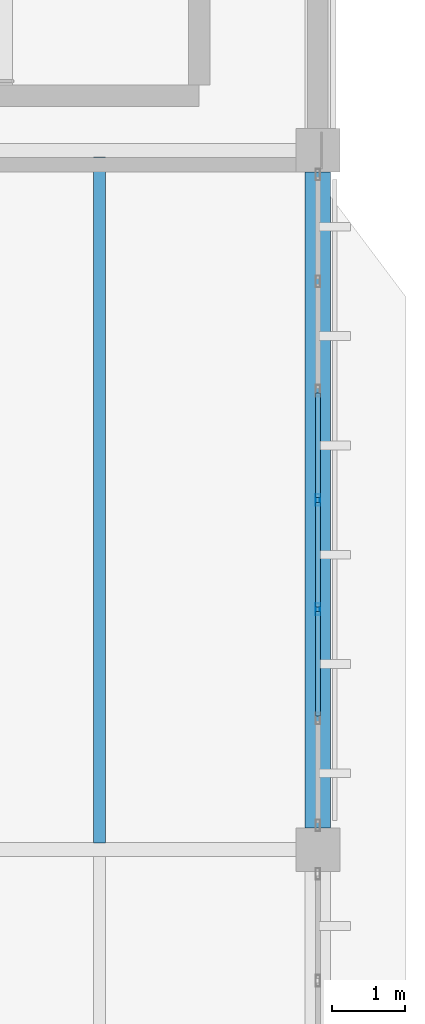
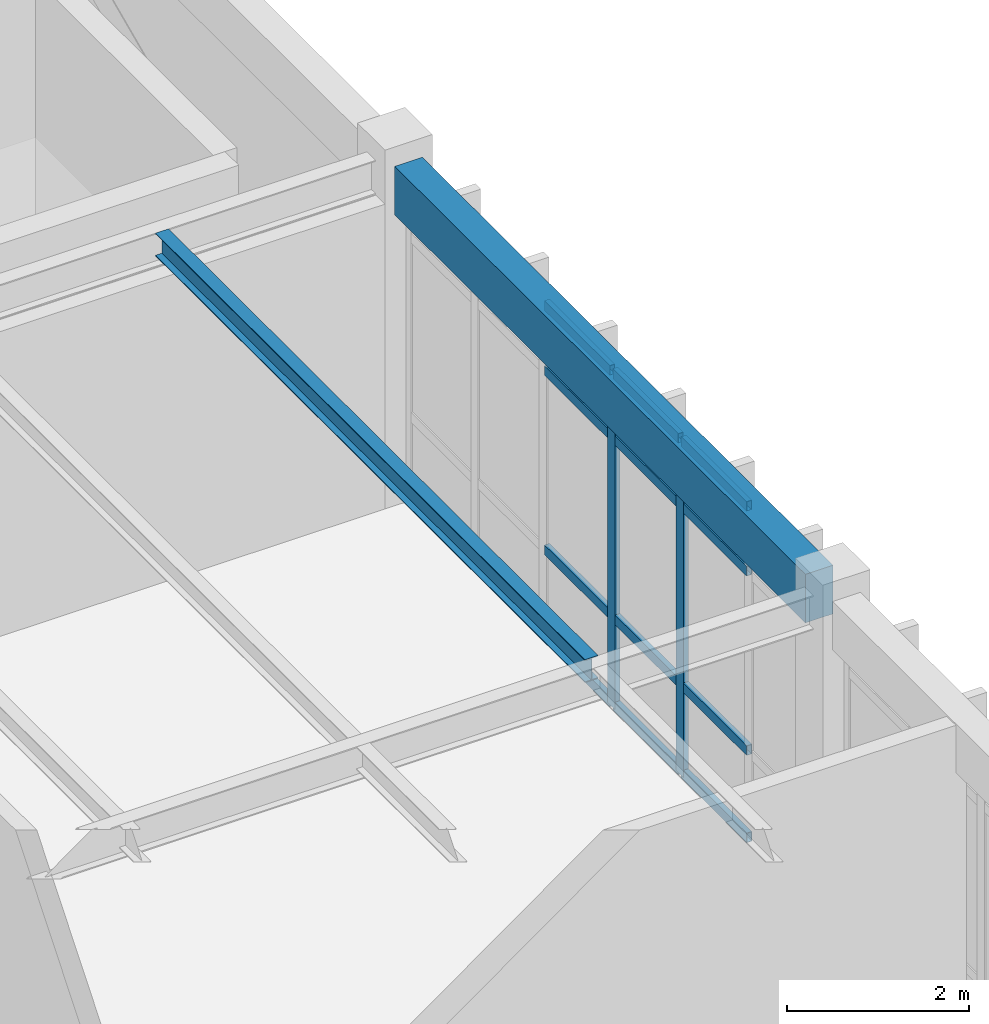
# One storey, part 150 of 236: 14 members, 2 beams, 1 element without a shape of its own.
"""IFC4 building model written with IfcOpenShell, lengths in metres."""

from ifc_helpers import new_model, si_unit, direction, frame, origin, origin_2d, place, context, subcontext, project, spatial, rectangle, hollow_rectangle, i_section, extrude, material, layer, layer_set, material_profile, profile_set, type_object, element, aggregate, save


model = new_model("IFC4")

# Units and contexts
model_context = context("Model", 3, precision=1e-05, world=origin(), true_north=direction((0.0, 1.0)))
body_context = subcontext(model_context, "Body", "Model", "MODEL_VIEW")
ifc_project = project(units=[si_unit("LENGTHUNIT", "METRE"), si_unit("AREAUNIT", "SQUARE_METRE"), si_unit("VOLUMEUNIT", "CUBIC_METRE"), si_unit("PLANEANGLEUNIT", "RADIAN"), si_unit("MASSUNIT", "GRAM", prefix="KILO")], contexts=[model_context])

# Site, building, storey
site_placement = place(None, origin())
site = spatial("IfcSite", under=ifc_project, at=site_placement, CompositionType="ELEMENT")
building_placement = place(site_placement, origin())
building = spatial("IfcBuilding", under=site, at=building_placement, Name="Pandanus Reach Market Hall", CompositionType="ELEMENT")
storey_placement = place(building_placement, frame((0.0, 0.0, 5.39990234375)))
storey = spatial("IfcBuildingStorey", under=building, at=storey_placement, Name="L01", CompositionType="ELEMENT", Elevation=5.39990234375)

# Beam
ifc_material_1 = material(Name="Concrete N40 (40 MPa)", Category="concrete")
ifc_material_profile_1 = material_profile(ifc_material_1, rectangle(XDim=0.35009765625, YDim=0.64990234375, at=origin_2d()), Name="RC350x650", Category="LoadBearing")
ifc_profile_set_1 = profile_set([ifc_material_profile_1], Name="Concrete N40 (40 MPa)")
beam_type_1 = type_object("IfcBeamType", Name="BM-RC350-E", PredefinedType="SPANDREL", material=ifc_profile_set_1)
beam_1_placement = place(storey_placement, frame((180.0, 57.89794921875, 4.215087890625), z_axis=(0.0, 1.0, 0.0), x_axis=(-1.0, 0.0, 0.0)))
element("IfcBeam", 1, at=beam_1_placement, inside=storey, type_object=beam_type_1, Name="Framing beam BM-RC350-E L01.368", PredefinedType="SPANDREL", context=body_context, shape_type="SweptSolid", body=[
    extrude(rectangle(XDim=0.35009765625, YDim=0.64990234375, at=origin_2d()), origin(), (0.0, 0.0, 1.0), 9.004150390625),
])

# Curtain wall, members
ifc_material_2 = material(Name="Bronze anodised aluminium and low-E glass", Category="aluminium")
ifc_layer = layer(ifc_material_2, 0.159912109375, Name="CW-28")
ifc_layer_set = layer_set([ifc_layer], Name="Bronze anodised aluminium and low-E glass")
curtain_wall_type = type_object("IfcCurtainWallType", Name="CW-28", PredefinedType="NOTDEFINED", material=ifc_layer_set)
curtain_wall_placement = place(storey_placement, origin())
curtain_wall = element("IfcCurtainWall", 2, at=curtain_wall_placement, inside=storey, type_object=curtain_wall_type, Name="Glazed curtain wall CW-28 CW-0088", PredefinedType="NOTDEFINED")
ifc_material_3 = material(Name="Bronze anodised aluminium", Category="aluminium")
ifc_material_profile_2 = material_profile(ifc_material_3, hollow_rectangle(XDim=0.06494140625, YDim=0.159912109375, WallThickness=0.00390625, at=origin_2d()), Name="ALU65x160", Category="LoadBearing")
ifc_profile_set_2 = profile_set([ifc_material_profile_2], Name="Bronze anodised aluminium")
member_type_1 = type_object("IfcMemberType", Name="CW-M1", PredefinedType="MULLION", material=ifc_profile_set_2)
member_1_placement = place(storey_placement, frame((180.0, 60.89990234375, 0.0), z_axis=(0.0, 0.0, 1.0), x_axis=(-1.0, 0.0, 0.0)))
member_1 = element("IfcMember", 3, at=member_1_placement, type_object=member_type_1, Name="CW-28 mullion 3", PredefinedType="MULLION", context=body_context, shape_type="SweptSolid", body=[
    extrude(hollow_rectangle(XDim=0.06494140625, YDim=0.159912109375, WallThickness=0.00390625, at=origin_2d()), origin(), (0.0, 0.0, 1.0), 4.5),
])
member_2_placement = place(storey_placement, frame((180.0, 62.39990234375, 0.0), z_axis=(0.0, 0.0, 1.0), x_axis=(-1.0, 0.0, 0.0)))
member_2 = element("IfcMember", 4, at=member_2_placement, type_object=member_type_1, Name="CW-28 mullion 4", PredefinedType="MULLION", context=body_context, shape_type="SweptSolid", body=[
    extrude(hollow_rectangle(XDim=0.06494140625, YDim=0.159912109375, WallThickness=0.00390625, at=origin_2d()), origin(), (0.0, 0.0, 1.0), 4.5),
])
ifc_material_profile_3 = material_profile(ifc_material_3, hollow_rectangle(XDim=0.06494140625, YDim=0.1298828125, WallThickness=0.00390625, at=origin_2d()), Name="ALU65x130", Category="LoadBearing")
ifc_profile_set_3 = profile_set([ifc_material_profile_3], Name="Bronze anodised aluminium")
member_type_2 = type_object("IfcMemberType", Name="CW-T1", PredefinedType="USERDEFINED", material=ifc_profile_set_3)
member_3_placement = place(storey_placement, frame((180.0, 59.4326171875, 0.03271484375), z_axis=(0.0, 1.0, 0.0), x_axis=(-1.0, 0.0, 0.0)))
member_3 = element("IfcMember", 5, at=member_3_placement, type_object=member_type_2, Name="CW-28 transom 2.1", ObjectType="TRANSOM", PredefinedType="USERDEFINED", context=body_context, shape_type="SweptSolid", body=[
    extrude(hollow_rectangle(XDim=0.06494140625, YDim=0.1298828125, WallThickness=0.00390625, at=origin_2d()), origin(), (0.0, 0.0, 1.0), 1.434814453125),
])
member_4_placement = place(storey_placement, frame((180.0, 59.4326171875, 1.2001953125), z_axis=(0.0, 1.0, 0.0), x_axis=(-1.0, 0.0, 0.0)))
member_4 = element("IfcMember", 6, at=member_4_placement, type_object=member_type_2, Name="CW-28 transom 2.2", ObjectType="TRANSOM", PredefinedType="USERDEFINED", context=body_context, shape_type="SweptSolid", body=[
    extrude(hollow_rectangle(XDim=0.06494140625, YDim=0.1298828125, WallThickness=0.00390625, at=origin_2d()), origin(), (0.0, 0.0, 1.0), 1.434814453125),
])
member_5_placement = place(storey_placement, frame((180.0, 59.4326171875, 3.60009765625), z_axis=(0.0, 1.0, 0.0), x_axis=(-1.0, 0.0, 0.0)))
member_5 = element("IfcMember", 7, at=member_5_placement, type_object=member_type_2, Name="CW-28 transom 2.3", ObjectType="TRANSOM", PredefinedType="USERDEFINED", context=body_context, shape_type="SweptSolid", body=[
    extrude(hollow_rectangle(XDim=0.06494140625, YDim=0.1298828125, WallThickness=0.00390625, at=origin_2d()), origin(), (0.0, 0.0, 1.0), 1.434814453125),
])
member_6_placement = place(storey_placement, frame((180.0, 59.4326171875, 4.467529296875), z_axis=(0.0, 1.0, 0.0), x_axis=(-1.0, 0.0, 0.0)))
member_6 = element("IfcMember", 8, at=member_6_placement, type_object=member_type_2, Name="CW-28 transom 2.4", ObjectType="TRANSOM", PredefinedType="USERDEFINED", context=body_context, shape_type="SweptSolid", body=[
    extrude(hollow_rectangle(XDim=0.06494140625, YDim=0.1298828125, WallThickness=0.00390625, at=origin_2d()), origin(), (0.0, 0.0, 1.0), 1.434814453125),
])
member_7_placement = place(storey_placement, frame((180.0, 60.9326171875, 0.03271484375), z_axis=(0.0, 1.0, 0.0), x_axis=(-1.0, 0.0, 0.0)))
member_7 = element("IfcMember", 9, at=member_7_placement, type_object=member_type_2, Name="CW-28 transom 3.1", ObjectType="TRANSOM", PredefinedType="USERDEFINED", context=body_context, shape_type="SweptSolid", body=[
    extrude(hollow_rectangle(XDim=0.06494140625, YDim=0.1298828125, WallThickness=0.00390625, at=origin_2d()), origin(), (0.0, 0.0, 1.0), 1.434814453125),
])
member_8_placement = place(storey_placement, frame((180.0, 60.9326171875, 1.2001953125), z_axis=(0.0, 1.0, 0.0), x_axis=(-1.0, 0.0, 0.0)))
member_8 = element("IfcMember", 10, at=member_8_placement, type_object=member_type_2, Name="CW-28 transom 3.2", ObjectType="TRANSOM", PredefinedType="USERDEFINED", context=body_context, shape_type="SweptSolid", body=[
    extrude(hollow_rectangle(XDim=0.06494140625, YDim=0.1298828125, WallThickness=0.00390625, at=origin_2d()), origin(), (0.0, 0.0, 1.0), 1.434814453125),
])
member_9_placement = place(storey_placement, frame((180.0, 60.9326171875, 3.60009765625), z_axis=(0.0, 1.0, 0.0), x_axis=(-1.0, 0.0, 0.0)))
member_9 = element("IfcMember", 11, at=member_9_placement, type_object=member_type_2, Name="CW-28 transom 3.3", ObjectType="TRANSOM", PredefinedType="USERDEFINED", context=body_context, shape_type="SweptSolid", body=[
    extrude(hollow_rectangle(XDim=0.06494140625, YDim=0.1298828125, WallThickness=0.00390625, at=origin_2d()), origin(), (0.0, 0.0, 1.0), 1.434814453125),
])
member_10_placement = place(storey_placement, frame((180.0, 60.9326171875, 4.467529296875), z_axis=(0.0, 1.0, 0.0), x_axis=(-1.0, 0.0, 0.0)))
member_10 = element("IfcMember", 12, at=member_10_placement, type_object=member_type_2, Name="CW-28 transom 3.4", ObjectType="TRANSOM", PredefinedType="USERDEFINED", context=body_context, shape_type="SweptSolid", body=[
    extrude(hollow_rectangle(XDim=0.06494140625, YDim=0.1298828125, WallThickness=0.00390625, at=origin_2d()), origin(), (0.0, 0.0, 1.0), 1.434814453125),
])
member_11_placement = place(storey_placement, frame((180.0, 62.4326171875, 0.03271484375), z_axis=(0.0, 1.0, 0.0), x_axis=(-1.0, 0.0, 0.0)))
member_11 = element("IfcMember", 13, at=member_11_placement, type_object=member_type_2, Name="CW-28 transom 4.1", ObjectType="TRANSOM", PredefinedType="USERDEFINED", context=body_context, shape_type="SweptSolid", body=[
    extrude(hollow_rectangle(XDim=0.06494140625, YDim=0.1298828125, WallThickness=0.00390625, at=origin_2d()), origin(), (0.0, 0.0, 1.0), 1.434814453125),
])
member_12_placement = place(storey_placement, frame((180.0, 62.4326171875, 1.2001953125), z_axis=(0.0, 1.0, 0.0), x_axis=(-1.0, 0.0, 0.0)))
member_12 = element("IfcMember", 14, at=member_12_placement, type_object=member_type_2, Name="CW-28 transom 4.2", ObjectType="TRANSOM", PredefinedType="USERDEFINED", context=body_context, shape_type="SweptSolid", body=[
    extrude(hollow_rectangle(XDim=0.06494140625, YDim=0.1298828125, WallThickness=0.00390625, at=origin_2d()), origin(), (0.0, 0.0, 1.0), 1.434814453125),
])
member_13_placement = place(storey_placement, frame((180.0, 62.4326171875, 3.60009765625), z_axis=(0.0, 1.0, 0.0), x_axis=(-1.0, 0.0, 0.0)))
member_13 = element("IfcMember", 15, at=member_13_placement, type_object=member_type_2, Name="CW-28 transom 4.3", ObjectType="TRANSOM", PredefinedType="USERDEFINED", context=body_context, shape_type="SweptSolid", body=[
    extrude(hollow_rectangle(XDim=0.06494140625, YDim=0.1298828125, WallThickness=0.00390625, at=origin_2d()), origin(), (0.0, 0.0, 1.0), 1.434814453125),
])
member_14_placement = place(storey_placement, frame((180.0, 62.4326171875, 4.467529296875), z_axis=(0.0, 1.0, 0.0), x_axis=(-1.0, 0.0, 0.0)))
member_14 = element("IfcMember", 16, at=member_14_placement, type_object=member_type_2, Name="CW-28 transom 4.4", ObjectType="TRANSOM", PredefinedType="USERDEFINED", context=body_context, shape_type="SweptSolid", body=[
    extrude(hollow_rectangle(XDim=0.06494140625, YDim=0.1298828125, WallThickness=0.00390625, at=origin_2d()), origin(), (0.0, 0.0, 1.0), 1.434814453125),
])
aggregate(curtain_wall, [member_1, member_2, member_3, member_4, member_5, member_6, member_7, member_8, member_9, member_10, member_11, member_12, member_13, member_14])

# Beam
ifc_material_4 = material(Name="Steel Grade 350 (350 MPa)", Category="steel")
ifc_material_profile_4 = material_profile(ifc_material_4, i_section(OverallWidth=0.166015625, OverallDepth=0.306884765625, WebThickness=0.006591796875, FlangeThickness=0.01171875, at=origin_2d()), Name="310UB46.2", Category="LoadBearing")
ifc_profile_set_4 = profile_set([ifc_material_profile_4], Name="Steel Grade 350 (350 MPa)")
beam_type_2 = type_object("IfcBeamType", Name="JS-UB310H-I", PredefinedType="JOIST", material=ifc_profile_set_4)
beam_2_placement = place(storey_placement, frame((177.0, 57.693115234375, 4.38623046875), z_axis=(0.0, 1.0, 0.0), x_axis=(-1.0, 0.0, 0.0)))
element("IfcBeam", 17, at=beam_2_placement, inside=storey, type_object=beam_type_2, Name="Secondary joist JS-UB310H-I L01.430", PredefinedType="JOIST", context=body_context, shape_type="SweptSolid", body=[
    extrude(i_section(OverallWidth=0.166015625, OverallDepth=0.306884765625, WebThickness=0.006591796875, FlangeThickness=0.01171875, at=origin_2d()), origin(), (0.0, 0.0, 1.0), 9.413818359375),
])

save(model, "model.ifc")
